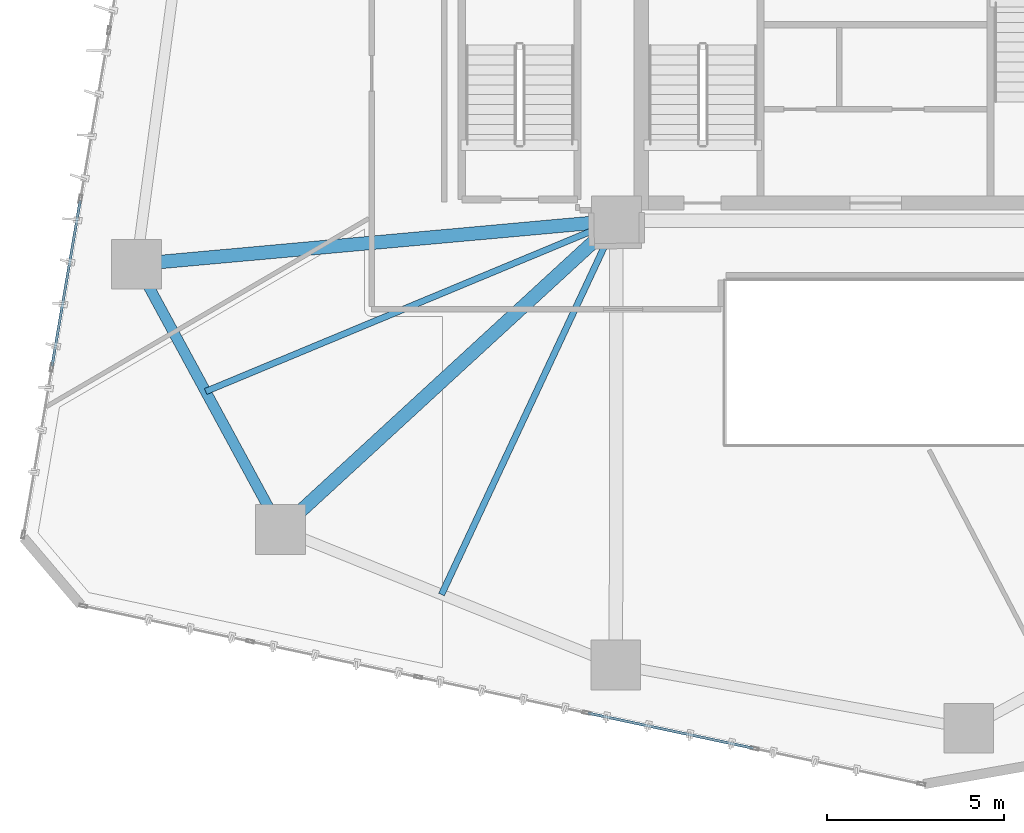
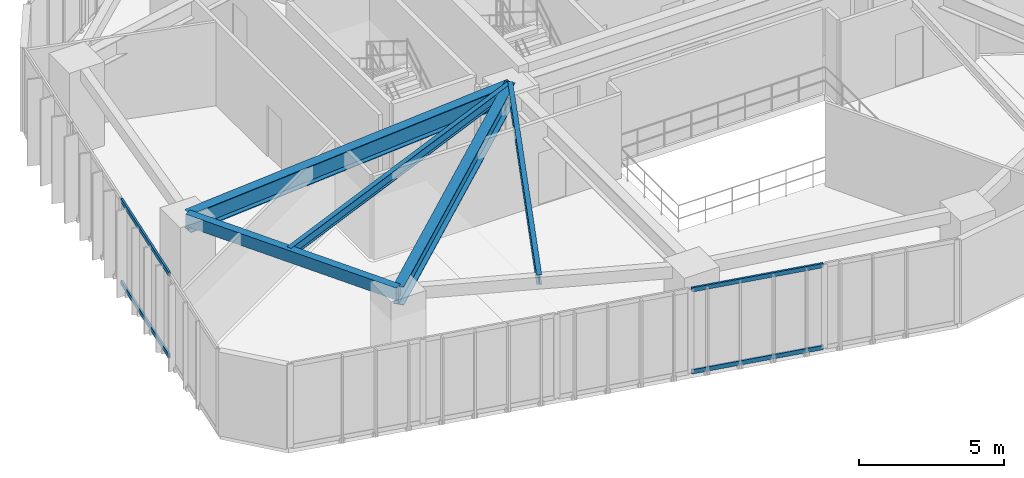
# One storey, part 3 of 22: 5 beams, 4 members, 2 elements without a shape of their own.
"""IFC4 building model written with IfcOpenShell, lengths in metres."""

from ifc_helpers import new_model, si_unit, direction, frame, origin, origin_2d, place, context, subcontext, project, spatial, hollow_rectangle, i_section, extrude, source, transform, mapped, material, layer, layer_set, material_profile, profile_set, type_object, type_shapes, element, aggregate, save


model = new_model("IFC4")

# Units and contexts
model_context = context("Model", 3, precision=1e-05, world=origin(), true_north=direction((0.0, 1.0)))
body_context = subcontext(model_context, "Body", "Model", "MODEL_VIEW")
ifc_project = project(units=[si_unit("LENGTHUNIT", "METRE"), si_unit("AREAUNIT", "SQUARE_METRE"), si_unit("VOLUMEUNIT", "CUBIC_METRE"), si_unit("PLANEANGLEUNIT", "RADIAN"), si_unit("MASSUNIT", "GRAM", prefix="KILO")], contexts=[model_context])

# Site, building, storey
site_placement = place(None, origin())
site = spatial("IfcSite", under=ifc_project, at=site_placement, CompositionType="ELEMENT")
building_placement = place(site_placement, origin())
building = spatial("IfcBuilding", under=site, at=building_placement, Name="Talar Marvaseh", CompositionType="ELEMENT")
storey_placement = place(building_placement, frame((0.0, 0.0, 54.39990234375)))
storey = spatial("IfcBuildingStorey", under=building, at=storey_placement, Name="L13", CompositionType="ELEMENT", Elevation=54.39990234375)

# Beams
ifc_material_1 = material(Name="Steel S355", Category="steel")
ifc_material_profile_1 = material_profile(ifc_material_1, hollow_rectangle(XDim=0.300048828125, YDim=0.5, WallThickness=0.02001953125, at=origin_2d()), Name="RHS500x300x20")
ifc_profile_set_1 = profile_set([ifc_material_profile_1], Name="Steel S355")
beam_type_1 = type_object("IfcBeamType", Name="Zone 1 Perimeter Spandrel Beam RHS500x300x20", PredefinedType="SPANDREL", material=ifc_profile_set_1)
beam_1_placement = place(storey_placement, frame((9.23193359375, 16.7958984375, 3.27001953125), z_axis=(-0.476758155578, 0.879034505062, 0.0), x_axis=(-0.879034505062, -0.476758155578, 0.0)))
element("IfcBeam", 1, at=beam_1_placement, inside=storey, type_object=beam_type_1, Name="L13 Zone 1 Perimeter Spandrel Beam RHS500x300x20", PredefinedType="SPANDREL", context=body_context, shape_type="SweptSolid", body=[
    extrude(hollow_rectangle(XDim=0.300048828125, YDim=0.5, WallThickness=0.02001953125, at=origin_2d()), origin(), (0.0, 0.0, 1.0), 8.50927734375),
])
ifc_material_profile_2 = material_profile(ifc_material_1, i_section(OverallWidth=0.381103515625, OverallDepth=0.77294921875, WebThickness=0.0166015625, FlangeThickness=0.027099609375, at=origin_2d()), Name="W760x257")
ifc_profile_set_2 = profile_set([ifc_material_profile_2], Name="Steel S355")
beam_type_2 = type_object("IfcBeamType", Name="Zone 1 Radial Floor Girder W760x257", PredefinedType="BEAM", material=ifc_profile_set_2)
beam_2_placement = place(storey_placement, frame((9.23193359375, 16.7958984375, 3.133544921875), z_axis=(0.736181804049, 0.676783829142, 0.0), x_axis=(-0.676783829142, 0.736181804049, 0.0)))
element("IfcBeam", 2, at=beam_2_placement, inside=storey, type_object=beam_type_2, Name="L13 Zone 1 Radial Floor Girder W760x257", PredefinedType="BEAM", context=body_context, shape_type="SweptSolid", body=[
    extrude(i_section(OverallWidth=0.381103515625, OverallDepth=0.77294921875, WebThickness=0.0166015625, FlangeThickness=0.027099609375, at=origin_2d()), origin(), (0.0, 0.0, 1.0), 12.861083984375),
])
beam_3_placement = place(storey_placement, frame((5.175048828125, 24.27587890625, 3.133544921875), z_axis=(0.995929083348, 0.090140229321, 0.0), x_axis=(-0.090140229321, 0.995929083348, 0.0)))
element("IfcBeam", 3, at=beam_3_placement, inside=storey, type_object=beam_type_2, Name="L13 Zone 1 Radial Floor Girder W760x257", PredefinedType="BEAM", context=body_context, shape_type="SweptSolid", body=[
    extrude(i_section(OverallWidth=0.381103515625, OverallDepth=0.77294921875, WebThickness=0.0166015625, FlangeThickness=0.027099609375, at=origin_2d()), origin(), (0.0, 0.0, 1.0), 13.580078125),
])
ifc_material_profile_3 = material_profile(ifc_material_1, i_section(OverallWidth=0.179931640625, OverallDepth=0.4130859375, WebThickness=0.009765625, FlangeThickness=0.01611328125, at=origin_2d()), Name="W410x75")
ifc_profile_set_3 = profile_set([ifc_material_profile_3], Name="Steel S355")
beam_type_3 = type_object("IfcBeamType", Name="Zone 1 Secondary Floor Joist W410x75", PredefinedType="JOIST", material=ifc_profile_set_3)
beam_4_placement = place(storey_placement, frame((13.7685546875, 14.9638671875, 3.3134765625), z_axis=(0.423911170159, 0.905703770454, 0.0), x_axis=(-0.905703770454, 0.423911170159, 0.0)))
element("IfcBeam", 4, at=beam_4_placement, inside=storey, type_object=beam_type_3, Name="L13 Zone 1 Secondary Floor Joist W410x75", PredefinedType="JOIST", context=body_context, shape_type="SweptSolid", body=[
    extrude(i_section(OverallWidth=0.179931640625, OverallDepth=0.4130859375, WebThickness=0.009765625, FlangeThickness=0.01611328125, at=origin_2d()), origin(), (0.0, 0.0, 1.0), 11.633056640625),
])
beam_5_placement = place(storey_placement, frame((7.122314453125, 20.685546875, 3.3134765625), z_axis=(0.923347443105, 0.383965492346, 0.0), x_axis=(-0.383965492346, 0.923347443105, 0.0)))
element("IfcBeam", 5, at=beam_5_placement, inside=storey, type_object=beam_type_3, Name="L13 Zone 1 Secondary Floor Joist W410x75", PredefinedType="JOIST", context=body_context, shape_type="SweptSolid", body=[
    extrude(i_section(OverallWidth=0.179931640625, OverallDepth=0.4130859375, WebThickness=0.009765625, FlangeThickness=0.01611328125, at=origin_2d()), origin(), (0.0, 0.0, 1.0), 12.538818359375),
])

# Curtain wall, members
ifc_material_2 = material(Name="Architectural Aluminium", Category="aluminium")
ifc_layer = layer(ifc_material_2, 0.219970703125)
ifc_layer_set = layer_set([ifc_layer], Name="Architectural Aluminium")
curtain_wall_type = type_object("IfcCurtainWallType", Name="Unitised Low-E Museum Curtain Wall Z1", PredefinedType="NOTDEFINED", material=ifc_layer_set)
curtain_wall_1_placement = place(storey_placement, origin())
curtain_wall_1 = element("IfcCurtainWall", 6, at=curtain_wall_1_placement, inside=storey, type_object=curtain_wall_type, Name="L13 Unitised Low-E Museum Curtain Wall Z1", PredefinedType="NOTDEFINED")
ifc_material_profile_4 = material_profile(ifc_material_2, hollow_rectangle(XDim=0.074951171875, YDim=0.179931640625, WallThickness=0.0048828125, at=origin_2d()), Name="RHS180x75x5")
ifc_profile_set_4 = profile_set([ifc_material_profile_4], Name="Architectural Aluminium")
member_type = type_object("IfcMemberType", Name="Unitised Curtain Wall Transom RHS180x75x5", PredefinedType="USERDEFINED", material=ifc_profile_set_4)
shared_shape_1 = source(origin(), body_context, "Body", "SweptSolid", [
    extrude(hollow_rectangle(XDim=0.074951171875, YDim=0.179931640625, WallThickness=0.0048828125, at=origin_2d()), origin(), (0.0, 0.0, 1.0), 4.765380859375),
])
member_1_placement = place(storey_placement, frame((22.55615234375, 10.633544921875, 0.03759765625), z_axis=(-0.978182412047, 0.207747848994, 0.0), x_axis=(-0.207747848994, -0.978182412047, 0.0)))
member_1 = element("IfcMember", 7, at=member_1_placement, type_object=member_type, Name="CW-Z1 transom 2.1", ObjectType="TRANSOM", PredefinedType="USERDEFINED", context=body_context, shape_type="MappedRepresentation", body=[
    mapped(shared_shape_1, transform((0.0, 0.0, 0.0), x_axis=(1.0, 0.0, 0.0), y_axis=(0.0, 1.0, 0.0), z_axis=(0.0, 0.0, 1.0), scale=1.0)),
])
member_2_placement = place(storey_placement, frame((22.55615234375, 10.633544921875, 3.482666015625), z_axis=(-0.978182412047, 0.207747848994, 0.0), x_axis=(-0.207747848994, -0.978182412047, 0.0)))
member_2 = element("IfcMember", 8, at=member_2_placement, type_object=member_type, Name="CW-Z1 transom 2.2", ObjectType="TRANSOM", PredefinedType="USERDEFINED", context=body_context, shape_type="MappedRepresentation", body=[
    mapped(shared_shape_1, transform((0.0, 0.0, 0.0), x_axis=(1.0, 0.0, 0.0), y_axis=(0.0, 1.0, 0.0), z_axis=(0.0, 0.0, 1.0), scale=1.0)),
])
aggregate(curtain_wall_1, [member_1, member_2])

curtain_wall_2_placement = place(storey_placement, origin())
curtain_wall_2 = element("IfcCurtainWall", 9, at=curtain_wall_2_placement, inside=storey, type_object=curtain_wall_type, Name="L13 Unitised Low-E Museum Curtain Wall Z1", PredefinedType="NOTDEFINED")
shared_shape_2 = source(origin(), body_context, "Body", "SweptSolid", [
    extrude(hollow_rectangle(XDim=0.074951171875, YDim=0.179931640625, WallThickness=0.0048828125, at=origin_2d()), origin(), (0.0, 0.0, 1.0), 4.73681640625),
])
type_shapes(member_type, [shared_shape_1, shared_shape_2])
member_3_placement = place(storey_placement, frame((2.793701171875, 21.3994140625, 0.03759765625), z_axis=(0.167666126432, 0.985843836542, 0.0), x_axis=(-0.985843836542, 0.167666126432, 0.0)))
member_3 = element("IfcMember", 10, at=member_3_placement, type_object=member_type, Name="CW-Z1 transom 2.1", ObjectType="TRANSOM", PredefinedType="USERDEFINED", context=body_context, shape_type="MappedRepresentation", body=[
    mapped(shared_shape_2, transform((0.0, 0.0, 0.0), x_axis=(1.0, 0.0, 0.0), y_axis=(0.0, 1.0, 0.0), z_axis=(0.0, 0.0, 1.0), scale=1.0)),
])
member_4_placement = place(storey_placement, frame((2.793701171875, 21.3994140625, 3.482666015625), z_axis=(0.167666126432, 0.985843836542, 0.0), x_axis=(-0.985843836542, 0.167666126432, 0.0)))
member_4 = element("IfcMember", 11, at=member_4_placement, type_object=member_type, Name="CW-Z1 transom 2.2", ObjectType="TRANSOM", PredefinedType="USERDEFINED", context=body_context, shape_type="MappedRepresentation", body=[
    mapped(shared_shape_2, transform((0.0, 0.0, 0.0), x_axis=(1.0, 0.0, 0.0), y_axis=(0.0, 1.0, 0.0), z_axis=(0.0, 0.0, 1.0), scale=1.0)),
])
aggregate(curtain_wall_2, [member_3, member_4])

save(model, "model.ifc")
